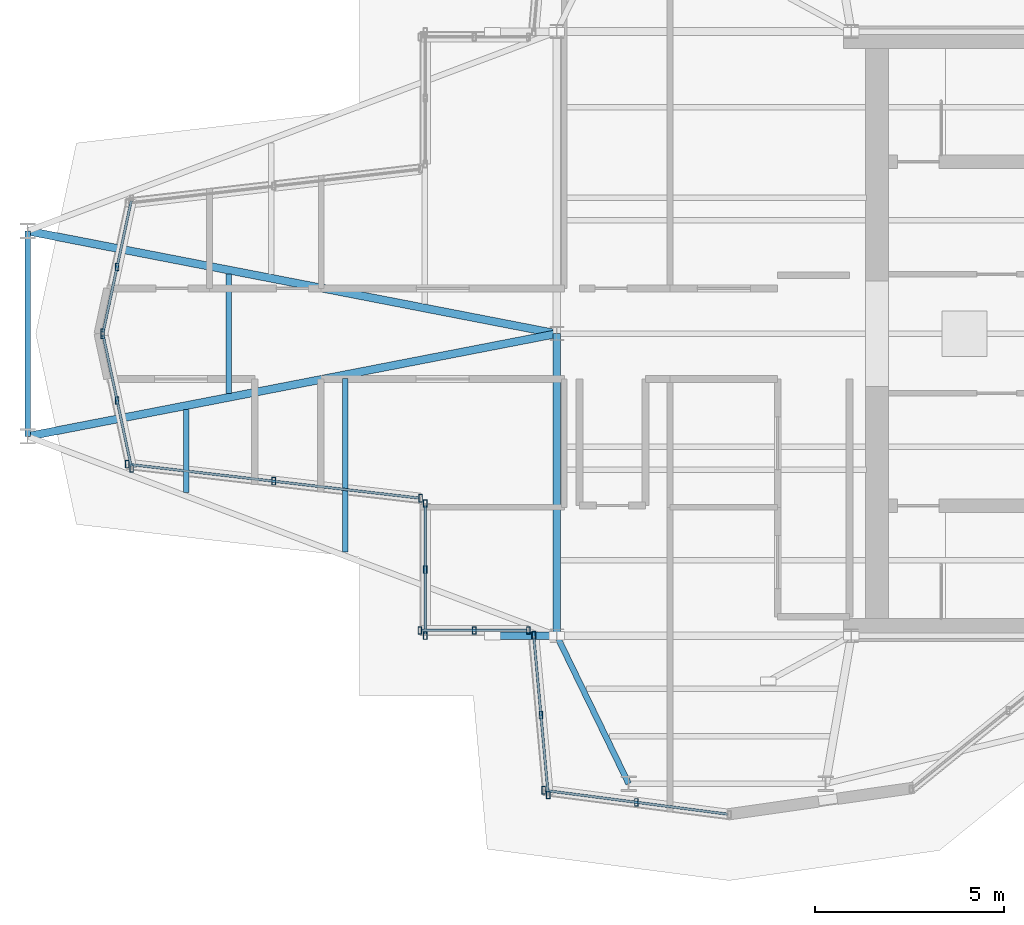
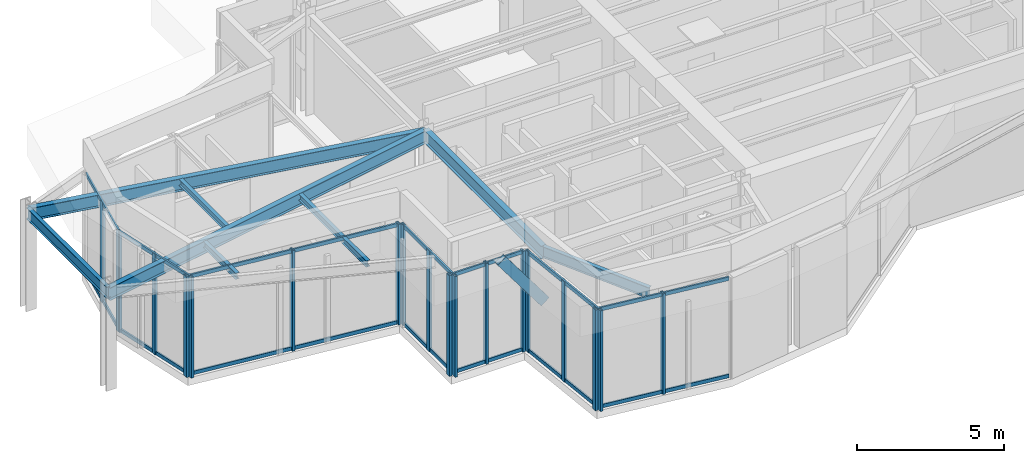
# One storey, part 2 of 11: 34 members, 8 beams, 7 elements without a shape of their own.
"""IFC4 building model written with IfcOpenShell, lengths in metres."""

from ifc_helpers import new_model, si_unit, direction, frame, origin, origin_2d, place, context, subcontext, project, spatial, hollow_rectangle, i_section, extrude, material, layer, layer_set, material_profile, profile_set, type_object, element, aggregate, save


model = new_model("IFC4")

# Units and contexts
model_context = context("Model", 3, precision=1e-05, world=origin(), true_north=direction((0.0, 1.0)))
body_context = subcontext(model_context, "Body", "Model", "MODEL_VIEW")
ifc_project = project(units=[si_unit("LENGTHUNIT", "METRE"), si_unit("AREAUNIT", "SQUARE_METRE"), si_unit("VOLUMEUNIT", "CUBIC_METRE"), si_unit("PLANEANGLEUNIT", "RADIAN"), si_unit("MASSUNIT", "GRAM", prefix="KILO")], contexts=[model_context])

# Site, building, storey
site_placement = place(None, origin())
site = spatial("IfcSite", under=ifc_project, at=site_placement, CompositionType="ELEMENT")
building_placement = place(site_placement, origin())
building = spatial("IfcBuilding", under=site, at=building_placement, Name="Veymaron Broadcast Tower", CompositionType="ELEMENT")
storey_placement = place(building_placement, frame((0.0, 0.0, 336.89990234375)))
storey = spatial("IfcBuildingStorey", under=building, at=storey_placement, Name="L79", CompositionType="ELEMENT", Elevation=336.89990234375)

# Beams
ifc_material_1 = material(Name="Structural steel ASTM A992 Gr 50", Category="steel")
ifc_material_profile_1 = material_profile(ifc_material_1, i_section(OverallWidth=0.208984375, OverallDepth=0.528076171875, WebThickness=0.009521484375, FlangeThickness=0.01318359375, at=origin_2d()), Name="W530X82")
ifc_profile_set_1 = profile_set([ifc_material_profile_1], Name="Structural steel ASTM A992 Gr 50")
beam_type_1 = type_object("IfcBeamType", Name="BM-FG4", PredefinedType="BEAM", material=ifc_profile_set_1)
beam_1_placement = place(storey_placement, frame((31.199951171875, 16.0, 3.906005859375), z_axis=(0.0, 1.0, 0.0), x_axis=(-1.0, 0.0, 0.0)))
element("IfcBeam", 1, at=beam_1_placement, inside=storey, type_object=beam_type_1, Name="L79 primary structural floor girder", PredefinedType="BEAM", context=body_context, shape_type="SweptSolid", body=[
    extrude(i_section(OverallWidth=0.208984375, OverallDepth=0.528076171875, WebThickness=0.009521484375, FlangeThickness=0.01318359375, at=origin_2d()), origin(), (0.0, 0.0, 1.0), 8.0),
])
for number, where, z_axis, x_axis, name in (
    (2, (17.18408203125, 21.280029296875, 3.906005859375), (0.981685363046, 0.190509443288, 0.0), (-0.190509443288, 0.981685363046, 0.0), "L79 primary structural floor girder"),
    (3, (17.18408203125, 26.719970703125, 3.906005859375), (0.981685363046, -0.190509443288, 0.0), (0.190509443288, 0.981685363046, 0.0), "L79 primary structural floor girder"),
):
    element("IfcBeam", number, at=place(storey_placement, frame(where, z_axis=z_axis, x_axis=x_axis)), inside=storey, type_object=beam_type_1, Name=name, PredefinedType="BEAM", context=body_context, shape_type="SweptSolid", body=[
        extrude(i_section(OverallWidth=0.208984375, OverallDepth=0.528076171875, WebThickness=0.009521484375, FlangeThickness=0.01318359375, at=origin_2d()), origin(), (0.0, 0.0, 1.0), 14.27734375),
    ])
ifc_material_profile_2 = material_profile(ifc_material_1, i_section(OverallWidth=0.14599609375, OverallDepth=0.258056640625, WebThickness=0.006103515625, FlangeThickness=0.009033203125, at=origin_2d()), Name="W250X33")
ifc_profile_set_2 = profile_set([ifc_material_profile_2], Name="Structural steel ASTM A992 Gr 50")
beam_type_2 = type_object("IfcBeamType", Name="BM-JS4", PredefinedType="JOIST", material=ifc_profile_set_2)
beam_2_placement = place(storey_placement, frame((21.388916015625, 19.7958984375, 4.041015625), z_axis=(0.0, 1.0, 0.0), x_axis=(-1.0, 0.0, 0.0)))
element("IfcBeam", 4, at=beam_2_placement, inside=storey, type_object=beam_type_2, Name="L79 Arm-A secondary joist 1S", PredefinedType="JOIST", context=body_context, shape_type="SweptSolid", body=[
    extrude(i_section(OverallWidth=0.14599609375, OverallDepth=0.258056640625, WebThickness=0.006103515625, FlangeThickness=0.009033203125, at=origin_2d()), origin(), (0.0, 0.0, 1.0), 2.2001953125),
])
beam_3_placement = place(storey_placement, frame((22.510009765625, 22.41357421875, 4.041015625), z_axis=(0.0, 1.0, 0.0), x_axis=(-1.0, 0.0, 0.0)))
element("IfcBeam", 5, at=beam_3_placement, inside=storey, type_object=beam_type_2, Name="L79 Arm-A secondary joist 1M", PredefinedType="JOIST", context=body_context, shape_type="SweptSolid", body=[
    extrude(i_section(OverallWidth=0.14599609375, OverallDepth=0.258056640625, WebThickness=0.006103515625, FlangeThickness=0.009033203125, at=origin_2d()), origin(), (0.0, 0.0, 1.0), 3.1728515625),
])
beam_4_placement = place(storey_placement, frame((25.593505859375, 18.2119140625, 4.041015625), z_axis=(0.0, 1.0, 0.0), x_axis=(-1.0, 0.0, 0.0)))
element("IfcBeam", 6, at=beam_4_placement, inside=storey, type_object=beam_type_2, Name="L79 Arm-A secondary joist 2S", PredefinedType="JOIST", context=body_context, shape_type="SweptSolid", body=[
    extrude(i_section(OverallWidth=0.14599609375, OverallDepth=0.258056640625, WebThickness=0.006103515625, FlangeThickness=0.009033203125, at=origin_2d()), origin(), (0.0, 0.0, 1.0), 4.60009765625),
])
ifc_material_profile_3 = material_profile(ifc_material_1, i_section(OverallWidth=0.154052734375, OverallDepth=0.458984375, WebThickness=0.009033203125, FlangeThickness=0.015380859375, at=origin_2d()), Name="W460X68")
ifc_profile_set_3 = profile_set([ifc_material_profile_3], Name="Structural steel ASTM A992 Gr 50")
beam_type_3 = type_object("IfcBeamType", Name="BM-SP2", PredefinedType="SPANDREL", material=ifc_profile_set_3)
beam_5_placement = place(storey_placement, frame((17.18408203125, 21.280029296875, 3.940673828125), z_axis=(0.0, 1.0, 0.0), x_axis=(-1.0, 0.0, 0.0)))
element("IfcBeam", 7, at=beam_5_placement, inside=storey, type_object=beam_type_3, Name="L79 primary structural floor girder", PredefinedType="SPANDREL", context=body_context, shape_type="SweptSolid", body=[
    extrude(i_section(OverallWidth=0.154052734375, OverallDepth=0.458984375, WebThickness=0.009033203125, FlangeThickness=0.015380859375, at=origin_2d()), origin(), (0.0, 0.0, 1.0), 5.43994140625),
])
beam_6_placement = place(storey_placement, frame((31.199951171875, 16.0, 3.940673828125), z_axis=(0.436920799064, -0.899499980737, 0.0), x_axis=(0.899499980737, 0.436920799064, 0.0)))
element("IfcBeam", 8, at=beam_6_placement, inside=storey, type_object=beam_type_3, Name="L79 primary structural floor girder", PredefinedType="SPANDREL", context=body_context, shape_type="SweptSolid", body=[
    extrude(i_section(OverallWidth=0.154052734375, OverallDepth=0.458984375, WebThickness=0.009033203125, FlangeThickness=0.015380859375, at=origin_2d()), origin(), (0.0, 0.0, 1.0), 4.35791015625),
])

# Curtain wall, members
ifc_material_2 = material(Name="Anodised aluminium AA 6063-T6 and laminated low-E dark glass", Category="aluminium")
ifc_layer = layer(ifc_material_2, 0.179931640625)
ifc_layer_set = layer_set([ifc_layer], Name="Anodised aluminium AA 6063-T6 and laminated low-E dark glass")
curtain_wall_type = type_object("IfcCurtainWallType", Name="CW-SYS-07", PredefinedType="NOTDEFINED", material=ifc_layer_set)
curtain_wall_1_placement = place(storey_placement, origin())
curtain_wall_1 = element("IfcCurtainWall", 9, at=curtain_wall_1_placement, inside=storey, type_object=curtain_wall_type, Name="L79 dark-glass curtain wall CW-L79-E12-1", PredefinedType="NOTDEFINED")
ifc_material_3 = material(Name="Anodised aluminium AA 6063-T6", Category="aluminium")
ifc_material_profile_4 = material_profile(ifc_material_3, hollow_rectangle(XDim=0.10009765625, YDim=0.199951171875, WallThickness=0.010009765625, at=origin_2d()), Name="RHS200X100X10")
ifc_profile_set_4 = profile_set([ifc_material_profile_4], Name="Anodised aluminium AA 6063-T6")
member_type_1 = type_object("IfcMemberType", Name="CW-MUL-01", PredefinedType="MULLION", material=ifc_profile_set_4)
member_1_placement = place(storey_placement, frame((19.552978515625, 25.768310546875, 0.0), z_axis=(0.0, 0.0, 1.0), x_axis=(1.0, 0.0, 0.0)))
member_1 = element("IfcMember", 10, at=member_1_placement, type_object=member_type_1, Name="CW-L79-E12-1 mullion 1", PredefinedType="MULLION", context=body_context, shape_type="SweptSolid", body=[
    extrude(hollow_rectangle(XDim=0.10009765625, YDim=0.199951171875, WallThickness=0.010009765625, at=origin_2d()), origin(), (0.0, 0.0, 1.0), 4.170166015625),
])
member_2_placement = place(storey_placement, frame((19.1689453125, 23.970703125, 0.0), z_axis=(0.0, 0.0, 1.0), x_axis=(1.0, 0.0, 0.0)))
member_2 = element("IfcMember", 11, at=member_2_placement, type_object=member_type_1, Name="CW-L79-E12-1 mullion 2", PredefinedType="MULLION", context=body_context, shape_type="SweptSolid", body=[
    extrude(hollow_rectangle(XDim=0.10009765625, YDim=0.199951171875, WallThickness=0.010009765625, at=origin_2d()), origin(), (0.0, 0.0, 1.0), 4.170166015625),
])

curtain_wall_2_placement = place(storey_placement, origin())
curtain_wall_2 = element("IfcCurtainWall", 12, at=curtain_wall_2_placement, inside=storey, type_object=curtain_wall_type, Name="L79 dark-glass curtain wall CW-L79-E13-1", PredefinedType="NOTDEFINED")
member_3_placement = place(storey_placement, frame((19.1689453125, 24.029296875, 0.0), z_axis=(0.0, 0.0, 1.0), x_axis=(1.0, 0.0, 0.0)))
member_3 = element("IfcMember", 13, at=member_3_placement, type_object=member_type_1, Name="CW-L79-E13-1 mullion 0", PredefinedType="MULLION", context=body_context, shape_type="SweptSolid", body=[
    extrude(hollow_rectangle(XDim=0.10009765625, YDim=0.199951171875, WallThickness=0.010009765625, at=origin_2d()), origin(), (0.0, 0.0, 1.0), 4.170166015625),
])
member_4_placement = place(storey_placement, frame((19.552978515625, 22.231689453125, 0.0), z_axis=(0.0, 0.0, 1.0), x_axis=(1.0, 0.0, 0.0)))
member_4 = element("IfcMember", 14, at=member_4_placement, type_object=member_type_1, Name="CW-L79-E13-1 mullion 1", PredefinedType="MULLION", context=body_context, shape_type="SweptSolid", body=[
    extrude(hollow_rectangle(XDim=0.10009765625, YDim=0.199951171875, WallThickness=0.010009765625, at=origin_2d()), origin(), (0.0, 0.0, 1.0), 4.170166015625),
])
member_5_placement = place(storey_placement, frame((19.93701171875, 20.43408203125, 0.0), z_axis=(0.0, 0.0, 1.0), x_axis=(1.0, 0.0, 0.0)))
member_5 = element("IfcMember", 15, at=member_5_placement, type_object=member_type_1, Name="CW-L79-E13-1 mullion 2", PredefinedType="MULLION", context=body_context, shape_type="SweptSolid", body=[
    extrude(hollow_rectangle(XDim=0.10009765625, YDim=0.199951171875, WallThickness=0.010009765625, at=origin_2d()), origin(), (0.0, 0.0, 1.0), 4.170166015625),
])

curtain_wall_3_placement = place(storey_placement, origin())
curtain_wall_3 = element("IfcCurtainWall", 16, at=curtain_wall_3_placement, inside=storey, type_object=curtain_wall_type, Name="L79 dark-glass curtain wall CW-L79-E14-1", PredefinedType="NOTDEFINED")
member_6_placement = place(storey_placement, frame((19.816162109375, 20.5439453125, 0.0), z_axis=(0.0, 0.0, 1.0), x_axis=(1.0, 0.0, 0.0)))
member_6 = element("IfcMember", 17, at=member_6_placement, type_object=member_type_1, Name="CW-L79-E14-1 mullion 0", PredefinedType="MULLION", context=body_context, shape_type="SweptSolid", body=[
    extrude(hollow_rectangle(XDim=0.10009765625, YDim=0.199951171875, WallThickness=0.010009765625, at=origin_2d()), origin(), (0.0, 0.0, 1.0), 4.170166015625),
])
member_7_placement = place(storey_placement, frame((23.7041015625, 20.092529296875, 0.0), z_axis=(0.0, 0.0, 1.0), x_axis=(1.0, 0.0, 0.0)))
member_7 = element("IfcMember", 18, at=member_7_placement, type_object=member_type_1, Name="CW-L79-E14-1 mullion 1", PredefinedType="MULLION", context=body_context, shape_type="SweptSolid", body=[
    extrude(hollow_rectangle(XDim=0.10009765625, YDim=0.199951171875, WallThickness=0.010009765625, at=origin_2d()), origin(), (0.0, 0.0, 1.0), 4.170166015625),
])
member_8_placement = place(storey_placement, frame((27.592041015625, 19.64111328125, 0.0), z_axis=(0.0, 0.0, 1.0), x_axis=(1.0, 0.0, 0.0)))
member_8 = element("IfcMember", 19, at=member_8_placement, type_object=member_type_1, Name="CW-L79-E14-1 mullion 2", PredefinedType="MULLION", context=body_context, shape_type="SweptSolid", body=[
    extrude(hollow_rectangle(XDim=0.10009765625, YDim=0.199951171875, WallThickness=0.010009765625, at=origin_2d()), origin(), (0.0, 0.0, 1.0), 4.170166015625),
])

curtain_wall_4_placement = place(storey_placement, origin())
curtain_wall_4 = element("IfcCurtainWall", 20, at=curtain_wall_4_placement, inside=storey, type_object=curtain_wall_type, Name="L79 dark-glass curtain wall CW-L79-E15-1", PredefinedType="NOTDEFINED")
member_9_placement = place(storey_placement, frame((27.716064453125, 19.501953125, 0.0), z_axis=(0.0, 0.0, 1.0), x_axis=(1.0, 0.0, 0.0)))
member_9 = element("IfcMember", 21, at=member_9_placement, type_object=member_type_1, Name="CW-L79-E15-1 mullion 0", PredefinedType="MULLION", context=body_context, shape_type="SweptSolid", body=[
    extrude(hollow_rectangle(XDim=0.10009765625, YDim=0.199951171875, WallThickness=0.010009765625, at=origin_2d()), origin(), (0.0, 0.0, 1.0), 4.170166015625),
])
member_10_placement = place(storey_placement, frame((27.716064453125, 17.7509765625, 0.0), z_axis=(0.0, 0.0, 1.0), x_axis=(1.0, 0.0, 0.0)))
member_10 = element("IfcMember", 22, at=member_10_placement, type_object=member_type_1, Name="CW-L79-E15-1 mullion 1", PredefinedType="MULLION", context=body_context, shape_type="SweptSolid", body=[
    extrude(hollow_rectangle(XDim=0.10009765625, YDim=0.199951171875, WallThickness=0.010009765625, at=origin_2d()), origin(), (0.0, 0.0, 1.0), 4.170166015625),
])
member_11_placement = place(storey_placement, frame((27.716064453125, 16.0, 0.0), z_axis=(0.0, 0.0, 1.0), x_axis=(1.0, 0.0, 0.0)))
member_11 = element("IfcMember", 23, at=member_11_placement, type_object=member_type_1, Name="CW-L79-E15-1 mullion 2", PredefinedType="MULLION", context=body_context, shape_type="SweptSolid", body=[
    extrude(hollow_rectangle(XDim=0.10009765625, YDim=0.199951171875, WallThickness=0.010009765625, at=origin_2d()), origin(), (0.0, 0.0, 1.0), 4.170166015625),
])

curtain_wall_5_placement = place(storey_placement, origin())
curtain_wall_5 = element("IfcCurtainWall", 24, at=curtain_wall_5_placement, inside=storey, type_object=curtain_wall_type, Name="L79 dark-glass curtain wall CW-L79-E16-1", PredefinedType="NOTDEFINED")
member_12_placement = place(storey_placement, frame((27.575927734375, 16.139892578125, 0.0), z_axis=(0.0, 0.0, 1.0), x_axis=(1.0, 0.0, 0.0)))
member_12 = element("IfcMember", 25, at=member_12_placement, type_object=member_type_1, Name="CW-L79-E16-1 mullion 0", PredefinedType="MULLION", context=body_context, shape_type="SweptSolid", body=[
    extrude(hollow_rectangle(XDim=0.10009765625, YDim=0.199951171875, WallThickness=0.010009765625, at=origin_2d()), origin(), (0.0, 0.0, 1.0), 4.170166015625),
])
member_13_placement = place(storey_placement, frame((29.01220703125, 16.139892578125, 0.0), z_axis=(0.0, 0.0, 1.0), x_axis=(1.0, 0.0, 0.0)))
member_13 = element("IfcMember", 26, at=member_13_placement, type_object=member_type_1, Name="CW-L79-E16-1 mullion 1", PredefinedType="MULLION", context=body_context, shape_type="SweptSolid", body=[
    extrude(hollow_rectangle(XDim=0.10009765625, YDim=0.199951171875, WallThickness=0.010009765625, at=origin_2d()), origin(), (0.0, 0.0, 1.0), 4.170166015625),
])
member_14_placement = place(storey_placement, frame((30.448486328125, 16.139892578125, 0.0), z_axis=(0.0, 0.0, 1.0), x_axis=(1.0, 0.0, 0.0)))
member_14 = element("IfcMember", 27, at=member_14_placement, type_object=member_type_1, Name="CW-L79-E16-1 mullion 2", PredefinedType="MULLION", context=body_context, shape_type="SweptSolid", body=[
    extrude(hollow_rectangle(XDim=0.10009765625, YDim=0.199951171875, WallThickness=0.010009765625, at=origin_2d()), origin(), (0.0, 0.0, 1.0), 4.170166015625),
])

curtain_wall_6_placement = place(storey_placement, origin())
curtain_wall_6 = element("IfcCurtainWall", 28, at=curtain_wall_6_placement, inside=storey, type_object=curtain_wall_type, Name="L79 dark-glass curtain wall CW-L79-E17-1", PredefinedType="NOTDEFINED")
member_15_placement = place(storey_placement, frame((30.587890625, 16.0126953125, 0.0), z_axis=(0.0, 0.0, 1.0), x_axis=(1.0, 0.0, 0.0)))
member_15 = element("IfcMember", 29, at=member_15_placement, type_object=member_type_1, Name="CW-L79-E17-1 mullion 0", PredefinedType="MULLION", context=body_context, shape_type="SweptSolid", body=[
    extrude(hollow_rectangle(XDim=0.10009765625, YDim=0.199951171875, WallThickness=0.010009765625, at=origin_2d()), origin(), (0.0, 0.0, 1.0), 4.170166015625),
])
member_16_placement = place(storey_placement, frame((30.77978515625, 13.896484375, 0.0), z_axis=(0.0, 0.0, 1.0), x_axis=(1.0, 0.0, 0.0)))
member_16 = element("IfcMember", 30, at=member_16_placement, type_object=member_type_1, Name="CW-L79-E17-1 mullion 1", PredefinedType="MULLION", context=body_context, shape_type="SweptSolid", body=[
    extrude(hollow_rectangle(XDim=0.10009765625, YDim=0.199951171875, WallThickness=0.010009765625, at=origin_2d()), origin(), (0.0, 0.0, 1.0), 4.170166015625),
])
member_17_placement = place(storey_placement, frame((30.9716796875, 11.780517578125, 0.0), z_axis=(0.0, 0.0, 1.0), x_axis=(1.0, 0.0, 0.0)))
member_17 = element("IfcMember", 31, at=member_17_placement, type_object=member_type_1, Name="CW-L79-E17-1 mullion 2", PredefinedType="MULLION", context=body_context, shape_type="SweptSolid", body=[
    extrude(hollow_rectangle(XDim=0.10009765625, YDim=0.199951171875, WallThickness=0.010009765625, at=origin_2d()), origin(), (0.0, 0.0, 1.0), 4.170166015625),
])

curtain_wall_7_placement = place(storey_placement, origin())
curtain_wall_7 = element("IfcCurtainWall", 32, at=curtain_wall_7_placement, inside=storey, type_object=curtain_wall_type, Name="L79 dark-glass curtain wall CW-L79-E18-1", PredefinedType="NOTDEFINED")
member_18_placement = place(storey_placement, frame((30.8505859375, 11.90673828125, 0.0), z_axis=(0.0, 0.0, 1.0), x_axis=(1.0, 0.0, 0.0)))
member_18 = element("IfcMember", 33, at=member_18_placement, type_object=member_type_1, Name="CW-L79-E18-1 mullion 0", PredefinedType="MULLION", context=body_context, shape_type="SweptSolid", body=[
    extrude(hollow_rectangle(XDim=0.10009765625, YDim=0.199951171875, WallThickness=0.010009765625, at=origin_2d()), origin(), (0.0, 0.0, 1.0), 4.170166015625),
])
member_19_placement = place(storey_placement, frame((33.310302734375, 11.5869140625, 0.0), z_axis=(0.0, 0.0, 1.0), x_axis=(1.0, 0.0, 0.0)))
member_19 = element("IfcMember", 34, at=member_19_placement, type_object=member_type_1, Name="CW-L79-E18-1 mullion 1", PredefinedType="MULLION", context=body_context, shape_type="SweptSolid", body=[
    extrude(hollow_rectangle(XDim=0.10009765625, YDim=0.199951171875, WallThickness=0.010009765625, at=origin_2d()), origin(), (0.0, 0.0, 1.0), 4.170166015625),
])

# Member
ifc_material_profile_5 = material_profile(ifc_material_3, hollow_rectangle(XDim=0.06494140625, YDim=0.14990234375, WallThickness=0.00390625, at=origin_2d()), Name="AL150X65X4")
ifc_profile_set_5 = profile_set([ifc_material_profile_5], Name="Anodised aluminium AA 6063-T6")
member_type_2 = type_object("IfcMemberType", Name="CW-TRN-01", PredefinedType="USERDEFINED", material=ifc_profile_set_5)
member_20_placement = place(storey_placement, frame((19.926513671875, 27.51708984375, 0.070068359375), z_axis=(-0.208964936281, -0.97792313369, 0.0), x_axis=(0.97792313369, -0.208964936281, 0.0)))
member_20 = element("IfcMember", 35, at=member_20_placement, type_object=member_type_2, Name="CW-L79-E12-1 transom B", ObjectType="TRANSOM", PredefinedType="USERDEFINED", context=body_context, shape_type="SweptSolid", body=[
    extrude(hollow_rectangle(XDim=0.06494140625, YDim=0.14990234375, WallThickness=0.00390625, at=origin_2d()), origin(), (0.0, 0.0, 1.0), 3.576171875),
])

member_21_placement = place(storey_placement, frame((19.926513671875, 27.51708984375, 4.10009765625), z_axis=(-0.208964936281, -0.97792313369, 0.0), x_axis=(0.97792313369, -0.208964936281, 0.0)))
member_21 = element("IfcMember", 36, at=member_21_placement, type_object=member_type_2, Name="CW-L79-E12-1 transom T", ObjectType="TRANSOM", PredefinedType="USERDEFINED", context=body_context, shape_type="SweptSolid", body=[
    extrude(hollow_rectangle(XDim=0.06494140625, YDim=0.14990234375, WallThickness=0.00390625, at=origin_2d()), origin(), (0.0, 0.0, 1.0), 3.576171875),
])

aggregate(curtain_wall_1, [member_1, member_2, member_20, member_21])

member_22_placement = place(storey_placement, frame((19.17919921875, 23.980224609375, 0.070068359375), z_axis=(0.208964936281, -0.97792313369, 0.0), x_axis=(0.97792313369, 0.208964936281, 0.0)))
member_22 = element("IfcMember", 37, at=member_22_placement, type_object=member_type_2, Name="CW-L79-E13-1 transom B", ObjectType="TRANSOM", PredefinedType="USERDEFINED", context=body_context, shape_type="SweptSolid", body=[
    extrude(hollow_rectangle(XDim=0.06494140625, YDim=0.14990234375, WallThickness=0.00390625, at=origin_2d()), origin(), (0.0, 0.0, 1.0), 3.576171875),
])

member_23_placement = place(storey_placement, frame((19.17919921875, 23.980224609375, 4.10009765625), z_axis=(0.208964936281, -0.97792313369, 0.0), x_axis=(0.97792313369, 0.208964936281, 0.0)))
member_23 = element("IfcMember", 38, at=member_23_placement, type_object=member_type_2, Name="CW-L79-E13-1 transom T", ObjectType="TRANSOM", PredefinedType="USERDEFINED", context=body_context, shape_type="SweptSolid", body=[
    extrude(hollow_rectangle(XDim=0.06494140625, YDim=0.14990234375, WallThickness=0.00390625, at=origin_2d()), origin(), (0.0, 0.0, 1.0), 3.576171875),
])

aggregate(curtain_wall_2, [member_3, member_4, member_5, member_22, member_23])

member_24_placement = place(storey_placement, frame((19.86572265625, 20.5380859375, 0.070068359375), z_axis=(0.99332649956, -0.115336313761, 0.0), x_axis=(0.115336313761, 0.99332649956, 0.0)))
member_24 = element("IfcMember", 39, at=member_24_placement, type_object=member_type_2, Name="CW-L79-E14-1 transom B", ObjectType="TRANSOM", PredefinedType="USERDEFINED", context=body_context, shape_type="SweptSolid", body=[
    extrude(hollow_rectangle(XDim=0.06494140625, YDim=0.14990234375, WallThickness=0.00390625, at=origin_2d()), origin(), (0.0, 0.0, 1.0), 7.728271484375),
])

member_25_placement = place(storey_placement, frame((19.86572265625, 20.5380859375, 4.10009765625), z_axis=(0.99332649956, -0.115336313761, 0.0), x_axis=(0.115336313761, 0.99332649956, 0.0)))
member_25 = element("IfcMember", 40, at=member_25_placement, type_object=member_type_2, Name="CW-L79-E14-1 transom T", ObjectType="TRANSOM", PredefinedType="USERDEFINED", context=body_context, shape_type="SweptSolid", body=[
    extrude(hollow_rectangle(XDim=0.06494140625, YDim=0.14990234375, WallThickness=0.00390625, at=origin_2d()), origin(), (0.0, 0.0, 1.0), 7.728271484375),
])

aggregate(curtain_wall_3, [member_6, member_7, member_8, member_24, member_25])

member_26_placement = place(storey_placement, frame((27.716064453125, 19.451904296875, 0.070068359375), z_axis=(0.0, -1.0, 0.0), x_axis=(1.0, 0.0, 0.0)))
member_26 = element("IfcMember", 41, at=member_26_placement, type_object=member_type_2, Name="CW-L79-E15-1 transom B", ObjectType="TRANSOM", PredefinedType="USERDEFINED", context=body_context, shape_type="SweptSolid", body=[
    extrude(hollow_rectangle(XDim=0.06494140625, YDim=0.14990234375, WallThickness=0.00390625, at=origin_2d()), origin(), (0.0, 0.0, 1.0), 3.40185546875),
])

member_27_placement = place(storey_placement, frame((27.716064453125, 19.451904296875, 4.10009765625), z_axis=(0.0, -1.0, 0.0), x_axis=(1.0, 0.0, 0.0)))
member_27 = element("IfcMember", 42, at=member_27_placement, type_object=member_type_2, Name="CW-L79-E15-1 transom T", ObjectType="TRANSOM", PredefinedType="USERDEFINED", context=body_context, shape_type="SweptSolid", body=[
    extrude(hollow_rectangle(XDim=0.06494140625, YDim=0.14990234375, WallThickness=0.00390625, at=origin_2d()), origin(), (0.0, 0.0, 1.0), 3.40185546875),
])

aggregate(curtain_wall_4, [member_9, member_10, member_11, member_26, member_27])

member_28_placement = place(storey_placement, frame((27.6259765625, 16.139892578125, 0.070068359375), z_axis=(1.0, 0.0, 0.0), x_axis=(0.0, 1.0, 0.0)))
member_28 = element("IfcMember", 43, at=member_28_placement, type_object=member_type_2, Name="CW-L79-E16-1 transom B", ObjectType="TRANSOM", PredefinedType="USERDEFINED", context=body_context, shape_type="SweptSolid", body=[
    extrude(hollow_rectangle(XDim=0.06494140625, YDim=0.14990234375, WallThickness=0.00390625, at=origin_2d()), origin(), (0.0, 0.0, 1.0), 2.772705078125),
])

member_29_placement = place(storey_placement, frame((27.6259765625, 16.139892578125, 4.10009765625), z_axis=(1.0, 0.0, 0.0), x_axis=(0.0, 1.0, 0.0)))
member_29 = element("IfcMember", 44, at=member_29_placement, type_object=member_type_2, Name="CW-L79-E16-1 transom T", ObjectType="TRANSOM", PredefinedType="USERDEFINED", context=body_context, shape_type="SweptSolid", body=[
    extrude(hollow_rectangle(XDim=0.06494140625, YDim=0.14990234375, WallThickness=0.00390625, at=origin_2d()), origin(), (0.0, 0.0, 1.0), 2.772705078125),
])

aggregate(curtain_wall_5, [member_12, member_13, member_14, member_28, member_29])

member_30_placement = place(storey_placement, frame((30.592529296875, 15.962890625, 0.070068359375), z_axis=(0.090312939387, -0.995913436489, 0.0), x_axis=(0.995913436489, 0.090312939387, 0.0)))
member_30 = element("IfcMember", 45, at=member_30_placement, type_object=member_type_2, Name="CW-L79-E17-1 transom B", ObjectType="TRANSOM", PredefinedType="USERDEFINED", context=body_context, shape_type="SweptSolid", body=[
    extrude(hollow_rectangle(XDim=0.06494140625, YDim=0.14990234375, WallThickness=0.00390625, at=origin_2d()), origin(), (0.0, 0.0, 1.0), 4.1494140625),
])

member_31_placement = place(storey_placement, frame((30.592529296875, 15.962890625, 4.10009765625), z_axis=(0.090312939387, -0.995913436489, 0.0), x_axis=(0.995913436489, 0.090312939387, 0.0)))
member_31 = element("IfcMember", 46, at=member_31_placement, type_object=member_type_2, Name="CW-L79-E17-1 transom T", ObjectType="TRANSOM", PredefinedType="USERDEFINED", context=body_context, shape_type="SweptSolid", body=[
    extrude(hollow_rectangle(XDim=0.06494140625, YDim=0.14990234375, WallThickness=0.00390625, at=origin_2d()), origin(), (0.0, 0.0, 1.0), 4.1494140625),
])

aggregate(curtain_wall_6, [member_15, member_16, member_17, member_30, member_31])

member_32_placement = place(storey_placement, frame((30.900146484375, 11.900390625, 0.070068359375), z_axis=(0.991640971684, -0.129027839154, 0.0), x_axis=(0.129027839154, 0.991640971684, 0.0)))
member_32 = element("IfcMember", 47, at=member_32_placement, type_object=member_type_2, Name="CW-L79-E18-1 transom B", ObjectType="TRANSOM", PredefinedType="USERDEFINED", context=body_context, shape_type="SweptSolid", body=[
    extrude(hollow_rectangle(XDim=0.06494140625, YDim=0.14990234375, WallThickness=0.00390625, at=origin_2d()), origin(), (0.0, 0.0, 1.0), 4.86083984375),
])

member_33_placement = place(storey_placement, frame((30.900146484375, 11.900390625, 4.10009765625), z_axis=(0.991640971684, -0.129027839154, 0.0), x_axis=(0.129027839154, 0.991640971684, 0.0)))
member_33 = element("IfcMember", 48, at=member_33_placement, type_object=member_type_2, Name="CW-L79-E18-1 transom T", ObjectType="TRANSOM", PredefinedType="USERDEFINED", context=body_context, shape_type="SweptSolid", body=[
    extrude(hollow_rectangle(XDim=0.06494140625, YDim=0.14990234375, WallThickness=0.00390625, at=origin_2d()), origin(), (0.0, 0.0, 1.0), 4.86083984375),
])

aggregate(curtain_wall_7, [member_18, member_19, member_32, member_33])

ifc_material_profile_6 = material_profile(ifc_material_1, hollow_rectangle(XDim=0.199951171875, YDim=0.39990234375, WallThickness=0.01611328125, at=origin_2d()), Name="RHS400X200X16")
ifc_profile_set_6 = profile_set([ifc_material_profile_6], Name="Structural steel ASTM A992 Gr 50")
member_type_3 = type_object("IfcMemberType", Name="MEM-SR2", PredefinedType="STRUT", material=ifc_profile_set_6)
member_34_placement = place(storey_placement, frame((31.199951171875, 16.0, 1.900146484375), z_axis=(-0.597731312625, 0.0, 0.801696499872), x_axis=(0.0, -1.0, 0.0)))
element("IfcMember", 49, at=member_34_placement, inside=storey, type_object=member_type_3, Name="L79 Crown Parasol Strut 5", PredefinedType="STRUT", context=body_context, shape_type="SweptSolid", body=[
    extrude(hollow_rectangle(XDim=0.199951171875, YDim=0.39990234375, WallThickness=0.01611328125, at=origin_2d()), origin(), (0.0, 0.0, 1.0), 2.843994140625),
])

save(model, "model.ifc")
